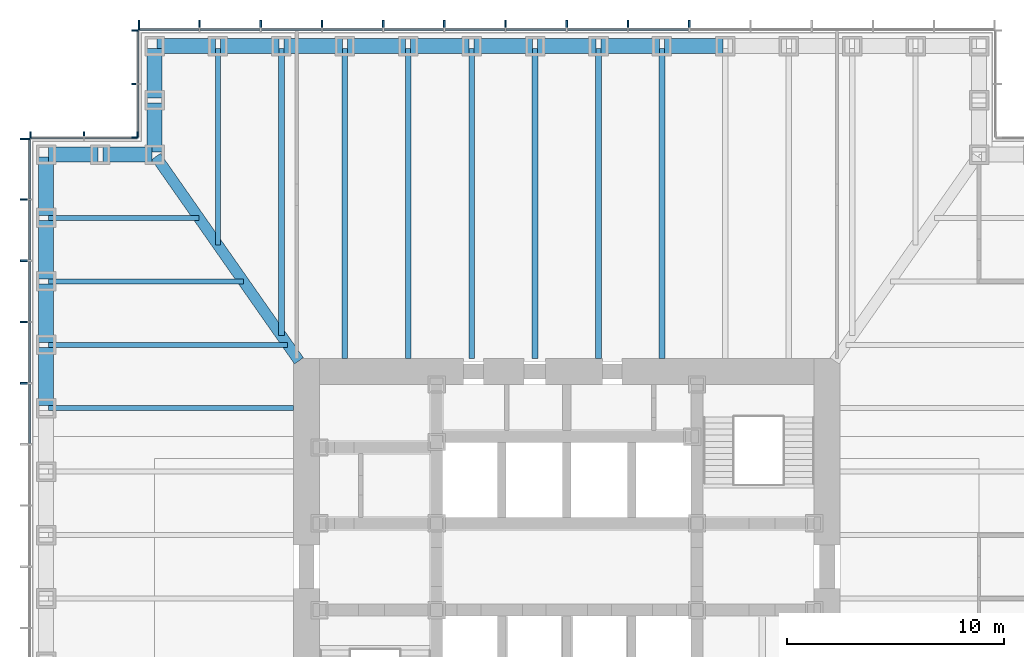
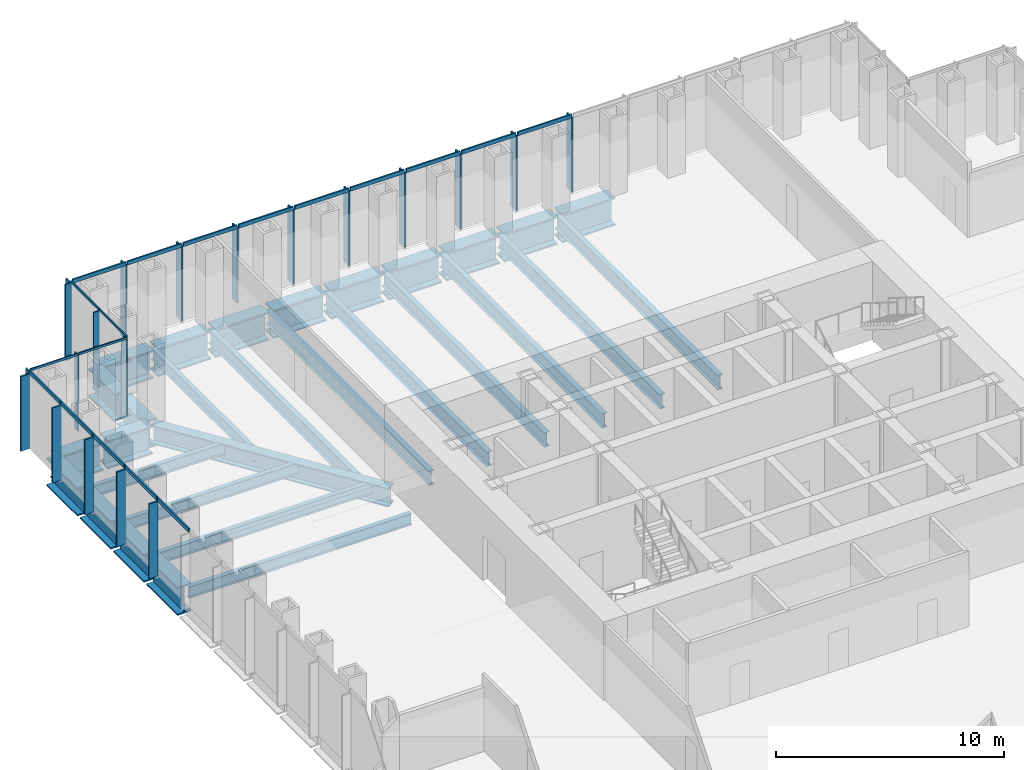
# One storey, part 5 of 16: 39 members, 30 beams, 4 elements without a shape of their own.
"""IFC4 building model written with IfcOpenShell, lengths in metres."""

from ifc_helpers import new_model, si_unit, direction, frame, origin, origin_2d, place, context, subcontext, project, spatial, rectangle, i_section, extrude, material, material_profile, profile_set, type_object, element, aggregate, save


model = new_model("IFC4")

# Units and contexts
model_context = context("Model", 3, precision=1e-05, world=origin(), true_north=direction((0.0, 1.0)))
body_context = subcontext(model_context, "Body", "Model", "MODEL_VIEW")
ifc_project = project(units=[si_unit("LENGTHUNIT", "METRE"), si_unit("AREAUNIT", "SQUARE_METRE"), si_unit("VOLUMEUNIT", "CUBIC_METRE"), si_unit("PLANEANGLEUNIT", "RADIAN"), si_unit("MASSUNIT", "GRAM", prefix="KILO")], contexts=[model_context])

# Site, building, storey
site_placement = place(None, origin())
site = spatial("IfcSite", under=ifc_project, at=site_placement, CompositionType="ELEMENT")
building_placement = place(site_placement, origin())
building = spatial("IfcBuilding", under=site, at=building_placement, Name="Daluyong Arena Tower", CompositionType="ELEMENT")
storey_placement = place(building_placement, frame((0.0, 0.0, 76.89990234375)))
storey = spatial("IfcBuildingStorey", under=building, at=storey_placement, Name="L16", CompositionType="ELEMENT", Elevation=76.89990234375)

# Curtain wall, members
ifc_material_1 = material(Name="Bronze anodised aluminium and glass", Category="aluminium")
curtain_wall_type_1 = type_object("IfcCurtainWallType", Name="Curtain wall CW1", PredefinedType="USERDEFINED", material=ifc_material_1)
curtain_wall_1_placement = place(storey_placement, origin())
curtain_wall_1 = element("IfcCurtainWall", 1, at=curtain_wall_1_placement, inside=storey, type_object=curtain_wall_type_1, Name="curtain wall L16 N", ObjectType="UNITISED CURTAIN WALL", PredefinedType="USERDEFINED")
ifc_material_2 = material(Name="Bronze anodised aluminium fin", Category="aluminium")
ifc_material_profile_1 = material_profile(ifc_material_2, rectangle(XDim=0.449951171875, YDim=0.080078125, at=origin_2d()))
ifc_profile_set_1 = profile_set([ifc_material_profile_1], Name="Bronze anodised aluminium fin")
member_type_1 = type_object("IfcMemberType", Name="CW1 bronze fin 450x80", PredefinedType="MULLION", material=ifc_profile_set_1)
member_1_placement = place(storey_placement, frame((61.642822265625, 104.97509765625, 0.0), z_axis=(0.0, 0.0, 1.0), x_axis=(0.0, -1.0, 0.0)))
member_1 = element("IfcMember", 2, at=member_1_placement, type_object=member_type_1, Name="curtain wall L16 N fin 6", PredefinedType="MULLION", context=body_context, shape_type="SweptSolid", body=[
    extrude(rectangle(XDim=0.449951171875, YDim=0.080078125, at=origin_2d()), origin(), (0.0, 0.0, 1.0), 4.0),
])
member_2_placement = place(storey_placement, frame((58.821533203125, 104.97509765625, 0.0), z_axis=(0.0, 0.0, 1.0), x_axis=(0.0, -1.0, 0.0)))
member_2 = element("IfcMember", 3, at=member_2_placement, type_object=member_type_1, Name="curtain wall L16 N fin 7", PredefinedType="MULLION", context=body_context, shape_type="SweptSolid", body=[
    extrude(rectangle(XDim=0.449951171875, YDim=0.080078125, at=origin_2d()), origin(), (0.0, 0.0, 1.0), 4.0),
])
member_3_placement = place(storey_placement, frame((56.0, 104.97509765625, 0.0), z_axis=(0.0, 0.0, 1.0), x_axis=(0.0, -1.0, 0.0)))
member_3 = element("IfcMember", 4, at=member_3_placement, type_object=member_type_1, Name="curtain wall L16 N fin 8", PredefinedType="MULLION", context=body_context, shape_type="SweptSolid", body=[
    extrude(rectangle(XDim=0.449951171875, YDim=0.080078125, at=origin_2d()), origin(), (0.0, 0.0, 1.0), 4.0),
])
member_4_placement = place(storey_placement, frame((53.178466796875, 104.97509765625, 0.0), z_axis=(0.0, 0.0, 1.0), x_axis=(0.0, -1.0, 0.0)))
member_4 = element("IfcMember", 5, at=member_4_placement, type_object=member_type_1, Name="curtain wall L16 N fin 9", PredefinedType="MULLION", context=body_context, shape_type="SweptSolid", body=[
    extrude(rectangle(XDim=0.449951171875, YDim=0.080078125, at=origin_2d()), origin(), (0.0, 0.0, 1.0), 4.0),
])
member_5_placement = place(storey_placement, frame((50.357177734375, 104.97509765625, 0.0), z_axis=(0.0, 0.0, 1.0), x_axis=(0.0, -1.0, 0.0)))
member_5 = element("IfcMember", 6, at=member_5_placement, type_object=member_type_1, Name="curtain wall L16 N fin 10", PredefinedType="MULLION", context=body_context, shape_type="SweptSolid", body=[
    extrude(rectangle(XDim=0.449951171875, YDim=0.080078125, at=origin_2d()), origin(), (0.0, 0.0, 1.0), 4.0),
])
member_6_placement = place(storey_placement, frame((47.53564453125, 104.97509765625, 0.0), z_axis=(0.0, 0.0, 1.0), x_axis=(0.0, -1.0, 0.0)))
member_6 = element("IfcMember", 7, at=member_6_placement, type_object=member_type_1, Name="curtain wall L16 N fin 11", PredefinedType="MULLION", context=body_context, shape_type="SweptSolid", body=[
    extrude(rectangle(XDim=0.449951171875, YDim=0.080078125, at=origin_2d()), origin(), (0.0, 0.0, 1.0), 4.0),
])
member_7_placement = place(storey_placement, frame((44.71435546875, 104.97509765625, 0.0), z_axis=(0.0, 0.0, 1.0), x_axis=(0.0, -1.0, 0.0)))
member_7 = element("IfcMember", 8, at=member_7_placement, type_object=member_type_1, Name="curtain wall L16 N fin 12", PredefinedType="MULLION", context=body_context, shape_type="SweptSolid", body=[
    extrude(rectangle(XDim=0.449951171875, YDim=0.080078125, at=origin_2d()), origin(), (0.0, 0.0, 1.0), 4.0),
])
member_8_placement = place(storey_placement, frame((41.892822265625, 104.97509765625, 0.0), z_axis=(0.0, 0.0, 1.0), x_axis=(0.0, -1.0, 0.0)))
member_8 = element("IfcMember", 9, at=member_8_placement, type_object=member_type_1, Name="curtain wall L16 N fin 13", PredefinedType="MULLION", context=body_context, shape_type="SweptSolid", body=[
    extrude(rectangle(XDim=0.449951171875, YDim=0.080078125, at=origin_2d()), origin(), (0.0, 0.0, 1.0), 4.0),
])
member_9_placement = place(storey_placement, frame((39.071533203125, 104.97509765625, 0.0), z_axis=(0.0, 0.0, 1.0), x_axis=(0.0, -1.0, 0.0)))
member_9 = element("IfcMember", 10, at=member_9_placement, type_object=member_type_1, Name="curtain wall L16 N fin 14", PredefinedType="MULLION", context=body_context, shape_type="SweptSolid", body=[
    extrude(rectangle(XDim=0.449951171875, YDim=0.080078125, at=origin_2d()), origin(), (0.0, 0.0, 1.0), 4.0),
])
member_10_placement = place(storey_placement, frame((36.2900390625, 104.97509765625, 0.0), z_axis=(0.0, 0.0, 1.0), x_axis=(0.0, -1.0, 0.0)))
member_10 = element("IfcMember", 11, at=member_10_placement, type_object=member_type_1, Name="curtain wall L16 N fin 15", PredefinedType="MULLION", context=body_context, shape_type="SweptSolid", body=[
    extrude(rectangle(XDim=0.449951171875, YDim=0.080078125, at=origin_2d()), origin(), (0.0, 0.0, 1.0), 4.0),
])

curtain_wall_2_placement = place(storey_placement, origin())
curtain_wall_2 = element("IfcCurtainWall", 12, at=curtain_wall_2_placement, inside=storey, type_object=curtain_wall_type_1, Name="curtain wall L16 W", ObjectType="UNITISED CURTAIN WALL", PredefinedType="USERDEFINED")
member_11_placement = place(storey_placement, frame((31.02490234375, 99.7099609375, 0.0), z_axis=(0.0, 0.0, 1.0), x_axis=(1.0, 0.0, 0.0)))
member_11 = element("IfcMember", 13, at=member_11_placement, type_object=member_type_1, Name="curtain wall L16 W fin 1", PredefinedType="MULLION", context=body_context, shape_type="SweptSolid", body=[
    extrude(rectangle(XDim=0.449951171875, YDim=0.080078125, at=origin_2d()), origin(), (0.0, 0.0, 1.0), 4.0),
])
member_12_placement = place(storey_placement, frame((31.02490234375, 96.928466796875, 0.0), z_axis=(0.0, 0.0, 1.0), x_axis=(1.0, 0.0, 0.0)))
member_12 = element("IfcMember", 14, at=member_12_placement, type_object=member_type_1, Name="curtain wall L16 W fin 2", PredefinedType="MULLION", context=body_context, shape_type="SweptSolid", body=[
    extrude(rectangle(XDim=0.449951171875, YDim=0.080078125, at=origin_2d()), origin(), (0.0, 0.0, 1.0), 4.0),
])
member_13_placement = place(storey_placement, frame((31.02490234375, 94.107177734375, 0.0), z_axis=(0.0, 0.0, 1.0), x_axis=(1.0, 0.0, 0.0)))
member_13 = element("IfcMember", 15, at=member_13_placement, type_object=member_type_1, Name="curtain wall L16 W fin 3", PredefinedType="MULLION", context=body_context, shape_type="SweptSolid", body=[
    extrude(rectangle(XDim=0.449951171875, YDim=0.080078125, at=origin_2d()), origin(), (0.0, 0.0, 1.0), 4.0),
])
member_14_placement = place(storey_placement, frame((31.02490234375, 91.28564453125, 0.0), z_axis=(0.0, 0.0, 1.0), x_axis=(1.0, 0.0, 0.0)))
member_14 = element("IfcMember", 16, at=member_14_placement, type_object=member_type_1, Name="curtain wall L16 W fin 4", PredefinedType="MULLION", context=body_context, shape_type="SweptSolid", body=[
    extrude(rectangle(XDim=0.449951171875, YDim=0.080078125, at=origin_2d()), origin(), (0.0, 0.0, 1.0), 4.0),
])
member_15_placement = place(storey_placement, frame((31.02490234375, 88.46435546875, 0.0), z_axis=(0.0, 0.0, 1.0), x_axis=(1.0, 0.0, 0.0)))
member_15 = element("IfcMember", 17, at=member_15_placement, type_object=member_type_1, Name="curtain wall L16 W fin 5", PredefinedType="MULLION", context=body_context, shape_type="SweptSolid", body=[
    extrude(rectangle(XDim=0.449951171875, YDim=0.080078125, at=origin_2d()), origin(), (0.0, 0.0, 1.0), 4.0),
])

# Member
ifc_material_3 = material(Name="Bronze anodised aluminium", Category="aluminium")
ifc_material_profile_2 = material_profile(ifc_material_3, rectangle(XDim=0.080078125, YDim=0.199951171875, at=origin_2d()))
ifc_profile_set_2 = profile_set([ifc_material_profile_2], Name="Bronze anodised aluminium")
member_type_2 = type_object("IfcMemberType", Name="CW1 stack transom 200x80", PredefinedType="USERDEFINED", material=ifc_profile_set_2)
member_16_placement = place(storey_placement, frame((61.602783203125, 104.75, 4.10009765625), z_axis=(-1.0, 0.0, 0.0), x_axis=(0.0, -1.0, 0.0)))
member_16 = element("IfcMember", 18, at=member_16_placement, type_object=member_type_2, Name="curtain wall L16 N transom 6", ObjectType="TRANSOM", PredefinedType="USERDEFINED", context=body_context, shape_type="SweptSolid", body=[
    extrude(rectangle(XDim=0.080078125, YDim=0.199951171875, at=origin_2d()), origin(), (0.0, 0.0, 1.0), 2.741455078125),
])

member_17_placement = place(storey_placement, frame((58.781494140625, 104.75, 4.10009765625), z_axis=(-1.0, 0.0, 0.0), x_axis=(0.0, -1.0, 0.0)))
member_17 = element("IfcMember", 19, at=member_17_placement, type_object=member_type_2, Name="curtain wall L16 N transom 7", ObjectType="TRANSOM", PredefinedType="USERDEFINED", context=body_context, shape_type="SweptSolid", body=[
    extrude(rectangle(XDim=0.080078125, YDim=0.199951171875, at=origin_2d()), origin(), (0.0, 0.0, 1.0), 2.741455078125),
])

member_18_placement = place(storey_placement, frame((55.9599609375, 104.75, 4.10009765625), z_axis=(-1.0, 0.0, 0.0), x_axis=(0.0, -1.0, 0.0)))
member_18 = element("IfcMember", 20, at=member_18_placement, type_object=member_type_2, Name="curtain wall L16 N transom 8", ObjectType="TRANSOM", PredefinedType="USERDEFINED", context=body_context, shape_type="SweptSolid", body=[
    extrude(rectangle(XDim=0.080078125, YDim=0.199951171875, at=origin_2d()), origin(), (0.0, 0.0, 1.0), 2.741455078125),
])

member_19_placement = place(storey_placement, frame((53.138671875, 104.75, 4.10009765625), z_axis=(-1.0, 0.0, 0.0), x_axis=(0.0, -1.0, 0.0)))
member_19 = element("IfcMember", 21, at=member_19_placement, type_object=member_type_2, Name="curtain wall L16 N transom 9", ObjectType="TRANSOM", PredefinedType="USERDEFINED", context=body_context, shape_type="SweptSolid", body=[
    extrude(rectangle(XDim=0.080078125, YDim=0.199951171875, at=origin_2d()), origin(), (0.0, 0.0, 1.0), 2.741455078125),
])

member_20_placement = place(storey_placement, frame((50.317138671875, 104.75, 4.10009765625), z_axis=(-1.0, 0.0, 0.0), x_axis=(0.0, -1.0, 0.0)))
member_20 = element("IfcMember", 22, at=member_20_placement, type_object=member_type_2, Name="curtain wall L16 N transom 10", ObjectType="TRANSOM", PredefinedType="USERDEFINED", context=body_context, shape_type="SweptSolid", body=[
    extrude(rectangle(XDim=0.080078125, YDim=0.199951171875, at=origin_2d()), origin(), (0.0, 0.0, 1.0), 2.741455078125),
])

member_21_placement = place(storey_placement, frame((47.49560546875, 104.75, 4.10009765625), z_axis=(-1.0, 0.0, 0.0), x_axis=(0.0, -1.0, 0.0)))
member_21 = element("IfcMember", 23, at=member_21_placement, type_object=member_type_2, Name="curtain wall L16 N transom 11", ObjectType="TRANSOM", PredefinedType="USERDEFINED", context=body_context, shape_type="SweptSolid", body=[
    extrude(rectangle(XDim=0.080078125, YDim=0.199951171875, at=origin_2d()), origin(), (0.0, 0.0, 1.0), 2.7412109375),
])

member_22_placement = place(storey_placement, frame((44.67431640625, 104.75, 4.10009765625), z_axis=(-1.0, 0.0, 0.0), x_axis=(0.0, -1.0, 0.0)))
member_22 = element("IfcMember", 24, at=member_22_placement, type_object=member_type_2, Name="curtain wall L16 N transom 12", ObjectType="TRANSOM", PredefinedType="USERDEFINED", context=body_context, shape_type="SweptSolid", body=[
    extrude(rectangle(XDim=0.080078125, YDim=0.199951171875, at=origin_2d()), origin(), (0.0, 0.0, 1.0), 2.741455078125),
])

member_23_placement = place(storey_placement, frame((41.852783203125, 104.75, 4.10009765625), z_axis=(-1.0, 0.0, 0.0), x_axis=(0.0, -1.0, 0.0)))
member_23 = element("IfcMember", 25, at=member_23_placement, type_object=member_type_2, Name="curtain wall L16 N transom 13", ObjectType="TRANSOM", PredefinedType="USERDEFINED", context=body_context, shape_type="SweptSolid", body=[
    extrude(rectangle(XDim=0.080078125, YDim=0.199951171875, at=origin_2d()), origin(), (0.0, 0.0, 1.0), 2.741455078125),
])

member_24_placement = place(storey_placement, frame((39.031494140625, 104.75, 4.10009765625), z_axis=(-1.0, 0.0, 0.0), x_axis=(0.0, -1.0, 0.0)))
member_24 = element("IfcMember", 26, at=member_24_placement, type_object=member_type_2, Name="curtain wall L16 N transom 14", ObjectType="TRANSOM", PredefinedType="USERDEFINED", context=body_context, shape_type="SweptSolid", body=[
    extrude(rectangle(XDim=0.080078125, YDim=0.199951171875, at=origin_2d()), origin(), (0.0, 0.0, 1.0), 2.701416015625),
])

aggregate(curtain_wall_1, [member_1, member_2, member_3, member_4, member_5, member_6, member_7, member_8, member_9, member_10, member_16, member_17, member_18, member_19, member_20, member_21, member_22, member_23, member_24])

member_25_placement = place(storey_placement, frame((31.25, 99.669921875, 4.10009765625), z_axis=(0.0, -1.0, 0.0), x_axis=(1.0, 0.0, 0.0)))
member_25 = element("IfcMember", 27, at=member_25_placement, type_object=member_type_2, Name="curtain wall L16 W transom 1", ObjectType="TRANSOM", PredefinedType="USERDEFINED", context=body_context, shape_type="SweptSolid", body=[
    extrude(rectangle(XDim=0.080078125, YDim=0.199951171875, at=origin_2d()), origin(), (0.0, 0.0, 1.0), 2.701416015625),
])

member_26_placement = place(storey_placement, frame((31.25, 96.888671875, 4.10009765625), z_axis=(0.0, -1.0, 0.0), x_axis=(1.0, 0.0, 0.0)))
member_26 = element("IfcMember", 28, at=member_26_placement, type_object=member_type_2, Name="curtain wall L16 W transom 2", ObjectType="TRANSOM", PredefinedType="USERDEFINED", context=body_context, shape_type="SweptSolid", body=[
    extrude(rectangle(XDim=0.080078125, YDim=0.199951171875, at=origin_2d()), origin(), (0.0, 0.0, 1.0), 2.741455078125),
])

member_27_placement = place(storey_placement, frame((31.25, 94.067138671875, 4.10009765625), z_axis=(0.0, -1.0, 0.0), x_axis=(1.0, 0.0, 0.0)))
member_27 = element("IfcMember", 29, at=member_27_placement, type_object=member_type_2, Name="curtain wall L16 W transom 3", ObjectType="TRANSOM", PredefinedType="USERDEFINED", context=body_context, shape_type="SweptSolid", body=[
    extrude(rectangle(XDim=0.080078125, YDim=0.199951171875, at=origin_2d()), origin(), (0.0, 0.0, 1.0), 2.741455078125),
])

member_28_placement = place(storey_placement, frame((31.25, 91.24560546875, 4.10009765625), z_axis=(0.0, -1.0, 0.0), x_axis=(1.0, 0.0, 0.0)))
member_28 = element("IfcMember", 30, at=member_28_placement, type_object=member_type_2, Name="curtain wall L16 W transom 4", ObjectType="TRANSOM", PredefinedType="USERDEFINED", context=body_context, shape_type="SweptSolid", body=[
    extrude(rectangle(XDim=0.080078125, YDim=0.199951171875, at=origin_2d()), origin(), (0.0, 0.0, 1.0), 2.7412109375),
])

member_29_placement = place(storey_placement, frame((31.25, 88.42431640625, 4.10009765625), z_axis=(0.0, -1.0, 0.0), x_axis=(1.0, 0.0, 0.0)))
member_29 = element("IfcMember", 31, at=member_29_placement, type_object=member_type_2, Name="curtain wall L16 W transom 5", ObjectType="TRANSOM", PredefinedType="USERDEFINED", context=body_context, shape_type="SweptSolid", body=[
    extrude(rectangle(XDim=0.080078125, YDim=0.199951171875, at=origin_2d()), origin(), (0.0, 0.0, 1.0), 2.741455078125),
])

aggregate(curtain_wall_2, [member_11, member_12, member_13, member_14, member_15, member_25, member_26, member_27, member_28, member_29])

# Curtain wall, members
ifc_material_4 = material(Name="Bronze anodised aluminium and glass", Category="aluminium")
curtain_wall_type_2 = type_object("IfcCurtainWallType", Name="Curtain wall CW7", PredefinedType="USERDEFINED", material=ifc_material_4)
curtain_wall_3_placement = place(storey_placement, origin())
curtain_wall_3 = element("IfcCurtainWall", 32, at=curtain_wall_3_placement, inside=storey, type_object=curtain_wall_type_2, Name="curtain wall L16 NW-W", ObjectType="UNITISED CURTAIN WALL", PredefinedType="USERDEFINED")
ifc_material_5 = material(Name="Bronze anodised aluminium fin", Category="aluminium")
ifc_material_profile_3 = material_profile(ifc_material_5, rectangle(XDim=0.300048828125, YDim=0.06005859375, at=origin_2d()))
ifc_profile_set_3 = profile_set([ifc_material_profile_3], Name="Bronze anodised aluminium fin")
member_type_3 = type_object("IfcMemberType", Name="CW7 bronze fin 300x60", PredefinedType="MULLION", material=ifc_profile_set_3)
member_30_placement = place(storey_placement, frame((36.10009765625, 104.719970703125, 0.0), z_axis=(0.0, 0.0, 1.0), x_axis=(1.0, 0.0, 0.0)))
member_30 = element("IfcMember", 33, at=member_30_placement, type_object=member_type_3, Name="curtain wall L16 NW-W fin 1", PredefinedType="MULLION", context=body_context, shape_type="SweptSolid", body=[
    extrude(rectangle(XDim=0.300048828125, YDim=0.06005859375, at=origin_2d()), origin(), (0.0, 0.0, 1.0), 4.080078125),
])
member_31_placement = place(storey_placement, frame((36.10009765625, 102.25, 0.0), z_axis=(0.0, 0.0, 1.0), x_axis=(1.0, 0.0, 0.0)))
member_31 = element("IfcMember", 34, at=member_31_placement, type_object=member_type_3, Name="curtain wall L16 NW-W fin 2", PredefinedType="MULLION", context=body_context, shape_type="SweptSolid", body=[
    extrude(rectangle(XDim=0.300048828125, YDim=0.06005859375, at=origin_2d()), origin(), (0.0, 0.0, 1.0), 4.080078125),
])
member_32_placement = place(storey_placement, frame((36.10009765625, 99.780029296875, 0.0), z_axis=(0.0, 0.0, 1.0), x_axis=(1.0, 0.0, 0.0)))
member_32 = element("IfcMember", 35, at=member_32_placement, type_object=member_type_3, Name="curtain wall L16 NW-W fin 3", PredefinedType="MULLION", context=body_context, shape_type="SweptSolid", body=[
    extrude(rectangle(XDim=0.300048828125, YDim=0.06005859375, at=origin_2d()), origin(), (0.0, 0.0, 1.0), 4.080078125),
])

curtain_wall_4_placement = place(storey_placement, origin())
curtain_wall_4 = element("IfcCurtainWall", 36, at=curtain_wall_4_placement, inside=storey, type_object=curtain_wall_type_2, Name="curtain wall L16 NW-N", ObjectType="UNITISED CURTAIN WALL", PredefinedType="USERDEFINED")
member_33_placement = place(storey_placement, frame((36.219970703125, 99.89990234375, 0.0), z_axis=(0.0, 0.0, 1.0), x_axis=(0.0, -1.0, 0.0)))
member_33 = element("IfcMember", 37, at=member_33_placement, type_object=member_type_3, Name="curtain wall L16 NW-N fin 1", PredefinedType="MULLION", context=body_context, shape_type="SweptSolid", body=[
    extrude(rectangle(XDim=0.300048828125, YDim=0.06005859375, at=origin_2d()), origin(), (0.0, 0.0, 1.0), 4.080078125),
])
member_34_placement = place(storey_placement, frame((33.75, 99.89990234375, 0.0), z_axis=(0.0, 0.0, 1.0), x_axis=(0.0, -1.0, 0.0)))
member_34 = element("IfcMember", 38, at=member_34_placement, type_object=member_type_3, Name="curtain wall L16 NW-N fin 2", PredefinedType="MULLION", context=body_context, shape_type="SweptSolid", body=[
    extrude(rectangle(XDim=0.300048828125, YDim=0.06005859375, at=origin_2d()), origin(), (0.0, 0.0, 1.0), 4.080078125),
])
member_35_placement = place(storey_placement, frame((31.280029296875, 99.89990234375, 0.0), z_axis=(0.0, 0.0, 1.0), x_axis=(0.0, -1.0, 0.0)))
member_35 = element("IfcMember", 39, at=member_35_placement, type_object=member_type_3, Name="curtain wall L16 NW-N fin 3", PredefinedType="MULLION", context=body_context, shape_type="SweptSolid", body=[
    extrude(rectangle(XDim=0.300048828125, YDim=0.06005859375, at=origin_2d()), origin(), (0.0, 0.0, 1.0), 4.080078125),
])

# Member
ifc_material_6 = material(Name="Bronze anodised aluminium", Category="aluminium")
ifc_material_profile_4 = material_profile(ifc_material_6, rectangle(XDim=0.06005859375, YDim=0.1201171875, at=origin_2d()))
ifc_profile_set_4 = profile_set([ifc_material_profile_4], Name="Bronze anodised aluminium")
member_type_4 = type_object("IfcMemberType", Name="CW7 stack transom 120x60", PredefinedType="USERDEFINED", material=ifc_profile_set_4)
member_36_placement = place(storey_placement, frame((36.25, 104.68994140625, 4.14013671875), z_axis=(0.0, -1.0, 0.0), x_axis=(1.0, 0.0, 0.0)))
member_36 = element("IfcMember", 40, at=member_36_placement, type_object=member_type_4, Name="curtain wall L16 NW-W transom 1", ObjectType="TRANSOM", PredefinedType="USERDEFINED", context=body_context, shape_type="SweptSolid", body=[
    extrude(rectangle(XDim=0.06005859375, YDim=0.1201171875, at=origin_2d()), origin(), (0.0, 0.0, 1.0), 2.409912109375),
])

member_37_placement = place(storey_placement, frame((36.25, 102.219970703125, 4.14013671875), z_axis=(0.0, -1.0, 0.0), x_axis=(1.0, 0.0, 0.0)))
member_37 = element("IfcMember", 41, at=member_37_placement, type_object=member_type_4, Name="curtain wall L16 NW-W transom 2", ObjectType="TRANSOM", PredefinedType="USERDEFINED", context=body_context, shape_type="SweptSolid", body=[
    extrude(rectangle(XDim=0.06005859375, YDim=0.1201171875, at=origin_2d()), origin(), (0.0, 0.0, 1.0), 2.409912109375),
])

aggregate(curtain_wall_3, [member_30, member_31, member_32, member_36, member_37])

member_38_placement = place(storey_placement, frame((36.18994140625, 99.75, 4.14013671875), z_axis=(-1.0, 0.0, 0.0), x_axis=(0.0, -1.0, 0.0)))
member_38 = element("IfcMember", 42, at=member_38_placement, type_object=member_type_4, Name="curtain wall L16 NW-N transom 1", ObjectType="TRANSOM", PredefinedType="USERDEFINED", context=body_context, shape_type="SweptSolid", body=[
    extrude(rectangle(XDim=0.06005859375, YDim=0.1201171875, at=origin_2d()), origin(), (0.0, 0.0, 1.0), 2.409912109375),
])

member_39_placement = place(storey_placement, frame((33.719970703125, 99.75, 4.14013671875), z_axis=(-1.0, 0.0, 0.0), x_axis=(0.0, -1.0, 0.0)))
member_39 = element("IfcMember", 43, at=member_39_placement, type_object=member_type_4, Name="curtain wall L16 NW-N transom 2", ObjectType="TRANSOM", PredefinedType="USERDEFINED", context=body_context, shape_type="SweptSolid", body=[
    extrude(rectangle(XDim=0.06005859375, YDim=0.1201171875, at=origin_2d()), origin(), (0.0, 0.0, 1.0), 2.409912109375),
])

aggregate(curtain_wall_4, [member_33, member_34, member_35, member_38, member_39])

# Beams
ifc_material_7 = material(Name="Steel ASTM A572 Grade 50", Category="steel")
ifc_material_profile_5 = material_profile(ifc_material_7, i_section(OverallWidth=0.5, OverallDepth=1.0, WebThickness=0.03, FlangeThickness=0.06, at=origin_2d()))
ifc_profile_set_5 = profile_set([ifc_material_profile_5], Name="Steel ASTM A572 Grade 50")
beam_type_1 = type_object("IfcBeamType", Name="Corner girder TB1000X500", PredefinedType="BEAM", material=ifc_profile_set_5)
beam_1_placement = place(storey_placement, frame((37.06591796875, 98.90576171875, -0.659912109375), z_axis=(0.573466621875, -0.819228926244, 0.0), x_axis=(0.819228926244, 0.573466621875, 0.0)))
element("IfcBeam", 44, at=beam_1_placement, inside=storey, type_object=beam_type_1, Name="corner girder DG2", PredefinedType="BEAM", context=body_context, shape_type="SweptSolid", body=[
    extrude(i_section(OverallWidth=0.5, OverallDepth=1.0, WebThickness=0.03, FlangeThickness=0.06, at=origin_2d()), origin(), (0.0, 0.0, 1.0), 11.49169921875),
])
ifc_material_8 = material(Name="Steel ASTM A992 Grade 50", Category="steel")
ifc_material_profile_6 = material_profile(ifc_material_8, i_section(OverallWidth=0.22900390625, OverallDepth=0.612060546875, WebThickness=0.011962890625, FlangeThickness=0.01953125, at=origin_2d()))
ifc_profile_set_6 = profile_set([ifc_material_profile_6], Name="Steel ASTM A992 Grade 50")
beam_type_2 = type_object("IfcBeamType", Name="Floor beam W24X84", PredefinedType="BEAM", material=ifc_profile_set_6)
beam_2_placement = place(storey_placement, frame((39.923095703125, 103.885009765625, -0.466064453125), z_axis=(0.0, -1.0, 0.0), x_axis=(1.0, 0.0, 0.0)))
element("IfcBeam", 45, at=beam_2_placement, inside=storey, type_object=beam_type_2, Name="floor beam FB3", PredefinedType="BEAM", context=body_context, shape_type="SweptSolid", body=[
    extrude(i_section(OverallWidth=0.22900390625, OverallDepth=0.612060546875, WebThickness=0.011962890625, FlangeThickness=0.01953125, at=origin_2d()), origin(), (0.0, 0.0, 1.0), 9.060791015625),
])
beam_3_placement = place(storey_placement, frame((32.114990234375, 96.076904296875, -0.466064453125), z_axis=(1.0, 0.0, 0.0), x_axis=(0.0, 1.0, 0.0)))
element("IfcBeam", 46, at=beam_3_placement, inside=storey, type_object=beam_type_2, Name="floor beam FB3", PredefinedType="BEAM", context=body_context, shape_type="SweptSolid", body=[
    extrude(i_section(OverallWidth=0.22900390625, OverallDepth=0.612060546875, WebThickness=0.011962890625, FlangeThickness=0.01953125, at=origin_2d()), origin(), (0.0, 0.0, 1.0), 6.93115234375),
])
beam_4_placement = place(storey_placement, frame((32.114990234375, 93.15380859375, -0.466064453125), z_axis=(1.0, 0.0, 0.0), x_axis=(0.0, 1.0, 0.0)))
element("IfcBeam", 47, at=beam_4_placement, inside=storey, type_object=beam_type_2, Name="floor beam FB3", PredefinedType="BEAM", context=body_context, shape_type="SweptSolid", body=[
    extrude(i_section(OverallWidth=0.22900390625, OverallDepth=0.612060546875, WebThickness=0.011962890625, FlangeThickness=0.01953125, at=origin_2d()), origin(), (0.0, 0.0, 1.0), 8.977294921875),
])
beam_5_placement = place(storey_placement, frame((32.114990234375, 90.230712890625, -0.466064453125), z_axis=(1.0, 0.0, 0.0), x_axis=(0.0, 1.0, 0.0)))
element("IfcBeam", 48, at=beam_5_placement, inside=storey, type_object=beam_type_2, Name="floor beam FB3", PredefinedType="BEAM", context=body_context, shape_type="SweptSolid", body=[
    extrude(i_section(OverallWidth=0.22900390625, OverallDepth=0.612060546875, WebThickness=0.011962890625, FlangeThickness=0.01953125, at=origin_2d()), origin(), (0.0, 0.0, 1.0), 11.0234375),
])
beam_6_placement = place(storey_placement, frame((32.114990234375, 87.3076171875, -0.466064453125), z_axis=(1.0, 0.0, 0.0), x_axis=(0.0, 1.0, 0.0)))
element("IfcBeam", 49, at=beam_6_placement, inside=storey, type_object=beam_type_2, Name="floor beam FB3", PredefinedType="BEAM", context=body_context, shape_type="SweptSolid", body=[
    extrude(i_section(OverallWidth=0.22900390625, OverallDepth=0.612060546875, WebThickness=0.011962890625, FlangeThickness=0.01953125, at=origin_2d()), origin(), (0.0, 0.0, 1.0), 11.284912109375),
])
ifc_material_9 = material(Name="Steel ASTM A992 Grade 50", Category="steel")
ifc_material_profile_7 = material_profile(ifc_material_9, i_section(OverallWidth=0.2666015625, OverallDepth=0.761962890625, WebThickness=0.014404296875, FlangeThickness=0.021484375, at=origin_2d()))
ifc_profile_set_7 = profile_set([ifc_material_profile_7], Name="Steel ASTM A992 Grade 50")
beam_type_3 = type_object("IfcBeamType", Name="Floor beam W30X116", PredefinedType="BEAM", material=ifc_profile_set_7)
for number, where, z_axis, x_axis, name in (
    (50, (60.384521484375, 103.885009765625, -0.541015625), (0.0, -1.0, 0.0), (1.0, 0.0, 0.0), "floor beam FB4"),
    (51, (57.46142578125, 103.885009765625, -0.541015625), (0.0, -1.0, 0.0), (1.0, 0.0, 0.0), "floor beam FB4"),
    (52, (54.53857421875, 103.885009765625, -0.541015625), (0.0, -1.0, 0.0), (1.0, 0.0, 0.0), "floor beam FB4"),
    (53, (51.615478515625, 103.885009765625, -0.541015625), (0.0, -1.0, 0.0), (1.0, 0.0, 0.0), "floor beam FB4"),
    (54, (48.6923828125, 103.885009765625, -0.541015625), (0.0, -1.0, 0.0), (1.0, 0.0, 0.0), "floor beam FB4"),
    (55, (45.769287109375, 103.885009765625, -0.541015625), (0.0, -1.0, 0.0), (1.0, 0.0, 0.0), "floor beam FB4"),
):
    element("IfcBeam", number, at=place(storey_placement, frame(where, z_axis=z_axis, x_axis=x_axis)), inside=storey, type_object=beam_type_3, Name=name, PredefinedType="BEAM", context=body_context, shape_type="SweptSolid", body=[
        extrude(i_section(OverallWidth=0.2666015625, OverallDepth=0.761962890625, WebThickness=0.014404296875, FlangeThickness=0.021484375, at=origin_2d()), origin(), (0.0, 0.0, 1.0), 14.284912109375),
    ])
beam_7_placement = place(storey_placement, frame((42.84619140625, 103.885009765625, -0.541015625), z_axis=(0.0, -1.0, 0.0), x_axis=(1.0, 0.0, 0.0)))
element("IfcBeam", 56, at=beam_7_placement, inside=storey, type_object=beam_type_3, Name="floor beam FB4", PredefinedType="BEAM", context=body_context, shape_type="SweptSolid", body=[
    extrude(i_section(OverallWidth=0.2666015625, OverallDepth=0.761962890625, WebThickness=0.014404296875, FlangeThickness=0.021484375, at=origin_2d()), origin(), (0.0, 0.0, 1.0), 13.236572265625),
])
ifc_material_10 = material(Name="Steel ASTM A572 Grade 50", Category="steel")
ifc_material_profile_8 = material_profile(ifc_material_10, i_section(OverallWidth=0.699951171875, OverallDepth=1.5, WebThickness=0.04, FlangeThickness=0.08, at=origin_2d()))
ifc_profile_set_8 = profile_set([ifc_material_profile_8], Name="Steel ASTM A572 Grade 50")
beam_type_4 = type_object("IfcBeamType", Name="Spandrel Z1 PG1500X700", PredefinedType="SPANDREL", material=ifc_profile_set_8)
for number, where, z_axis, x_axis, name in (
    (57, (63.192626953125, 104.0, -0.909912109375), (-1.0, 0.0, 0.0), (0.0, -1.0, 0.0), "spandrel z1 SB4"),
    (58, (60.26953125, 104.0, -0.909912109375), (-1.0, 0.0, 0.0), (0.0, -1.0, 0.0), "spandrel z1 SB4"),
):
    element("IfcBeam", number, at=place(storey_placement, frame(where, z_axis=z_axis, x_axis=x_axis)), inside=storey, type_object=beam_type_4, Name=name, PredefinedType="SPANDREL", context=body_context, shape_type="SweptSolid", body=[
        extrude(i_section(OverallWidth=0.699951171875, OverallDepth=1.5, WebThickness=0.04, FlangeThickness=0.08, at=origin_2d()), origin(), (0.0, 0.0, 1.0), 2.693115234375),
    ])
beam_8_placement = place(storey_placement, frame((57.346435546875, 104.0, -0.909912109375), z_axis=(-1.0, 0.0, 0.0), x_axis=(0.0, -1.0, 0.0)))
element("IfcBeam", 59, at=beam_8_placement, inside=storey, type_object=beam_type_4, Name="spandrel z1 SB4", PredefinedType="SPANDREL", context=body_context, shape_type="SweptSolid", body=[
    extrude(i_section(OverallWidth=0.699951171875, OverallDepth=1.5, WebThickness=0.04, FlangeThickness=0.08, at=origin_2d()), origin(), (0.0, 0.0, 1.0), 2.69287109375),
])
for number, where, z_axis, x_axis, name in (
    (60, (54.423583984375, 104.0, -0.909912109375), (-1.0, 0.0, 0.0), (0.0, -1.0, 0.0), "spandrel z1 SB4"),
    (61, (51.50048828125, 104.0, -0.909912109375), (-1.0, 0.0, 0.0), (0.0, -1.0, 0.0), "spandrel z1 SB4"),
    (62, (48.577392578125, 104.0, -0.909912109375), (-1.0, 0.0, 0.0), (0.0, -1.0, 0.0), "spandrel z1 SB4"),
    (63, (45.654296875, 104.0, -0.909912109375), (-1.0, 0.0, 0.0), (0.0, -1.0, 0.0), "spandrel z1 SB4"),
    (64, (42.731201171875, 104.0, -0.909912109375), (-1.0, 0.0, 0.0), (0.0, -1.0, 0.0), "spandrel z1 SB4"),
    (65, (39.80810546875, 104.0, -0.909912109375), (-1.0, 0.0, 0.0), (0.0, -1.0, 0.0), "spandrel z1 SB4"),
):
    element("IfcBeam", number, at=place(storey_placement, frame(where, z_axis=z_axis, x_axis=x_axis)), inside=storey, type_object=beam_type_4, Name=name, PredefinedType="SPANDREL", context=body_context, shape_type="SweptSolid", body=[
        extrude(i_section(OverallWidth=0.699951171875, OverallDepth=1.5, WebThickness=0.04, FlangeThickness=0.08, at=origin_2d()), origin(), (0.0, 0.0, 1.0), 2.693115234375),
    ])
for number, where, z_axis, x_axis, name in (
    (66, (37.0, 103.885009765625, -0.909912109375), (0.0, -1.0, 0.0), (1.0, 0.0, 0.0), "spandrel z1 SB4"),
    (67, (37.0, 101.385009765625, -0.909912109375), (0.0, -1.0, 0.0), (1.0, 0.0, 0.0), "spandrel z1 SB4"),
    (68, (36.885009765625, 99.0, -0.909912109375), (-1.0, 0.0, 0.0), (0.0, -1.0, 0.0), "spandrel z1 SB4"),
    (69, (34.385009765625, 99.0, -0.909912109375), (-1.0, 0.0, 0.0), (0.0, -1.0, 0.0), "spandrel z1 SB4"),
):
    element("IfcBeam", number, at=place(storey_placement, frame(where, z_axis=z_axis, x_axis=x_axis)), inside=storey, type_object=beam_type_4, Name=name, PredefinedType="SPANDREL", context=body_context, shape_type="SweptSolid", body=[
        extrude(i_section(OverallWidth=0.699951171875, OverallDepth=1.5, WebThickness=0.04, FlangeThickness=0.08, at=origin_2d()), origin(), (0.0, 0.0, 1.0), 2.27001953125),
    ])
for number, where, z_axis, x_axis, name in (
    (70, (32.0, 98.885009765625, -0.909912109375), (0.0, -1.0, 0.0), (1.0, 0.0, 0.0), "spandrel z1 SB4"),
    (71, (32.0, 95.9619140625, -0.909912109375), (0.0, -1.0, 0.0), (1.0, 0.0, 0.0), "spandrel z1 SB4"),
    (72, (32.0, 93.038818359375, -0.909912109375), (0.0, -1.0, 0.0), (1.0, 0.0, 0.0), "spandrel z1 SB4"),
    (73, (32.0, 90.11572265625, -0.909912109375), (0.0, -1.0, 0.0), (1.0, 0.0, 0.0), "spandrel z1 SB4"),
):
    element("IfcBeam", number, at=place(storey_placement, frame(where, z_axis=z_axis, x_axis=x_axis)), inside=storey, type_object=beam_type_4, Name=name, PredefinedType="SPANDREL", context=body_context, shape_type="SweptSolid", body=[
        extrude(i_section(OverallWidth=0.699951171875, OverallDepth=1.5, WebThickness=0.04, FlangeThickness=0.08, at=origin_2d()), origin(), (0.0, 0.0, 1.0), 2.693115234375),
    ])

save(model, "model.ifc")
